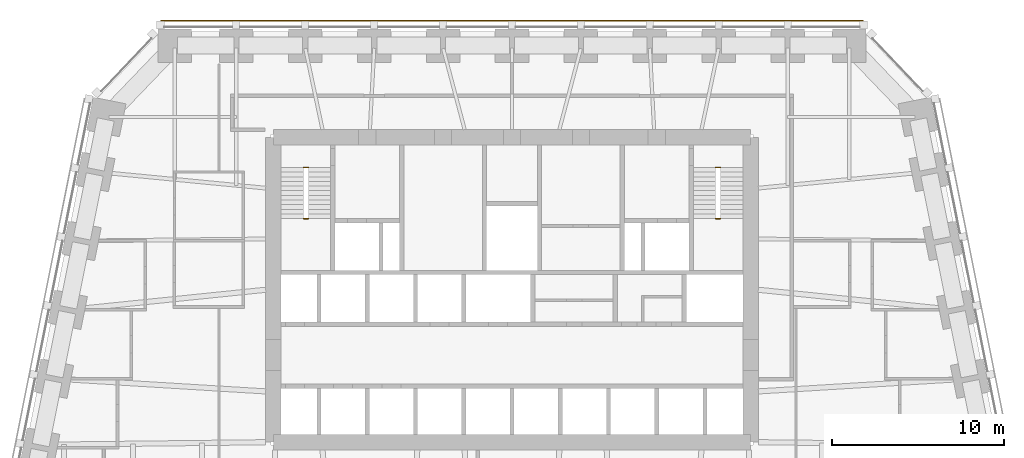
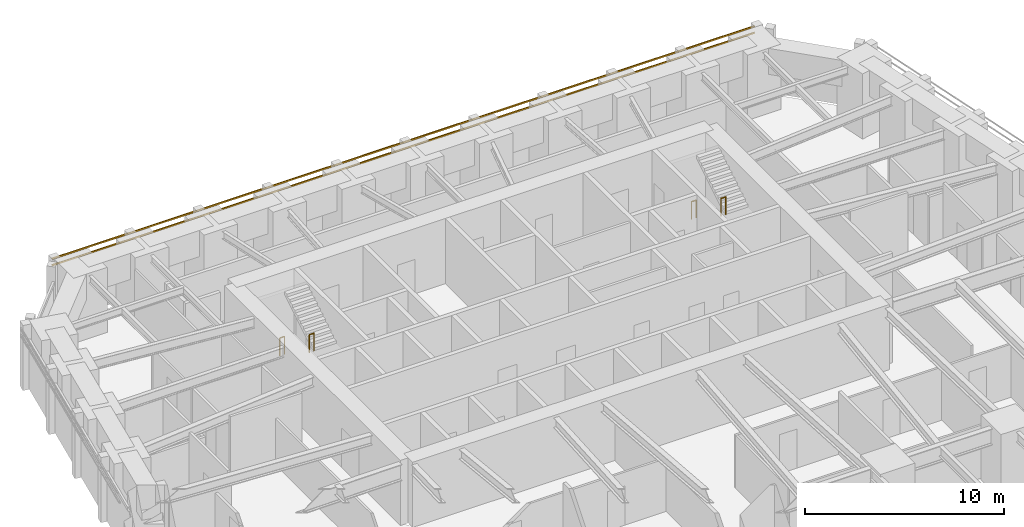
# One storey, part 10 of 10: 4 railings, 2 shading devices.
"""IFC4 building model written with IfcOpenShell, lengths in metres."""

from ifc_helpers import new_model, si_unit, direction, frame, origin, origin_2d, place, context, subcontext, project, spatial, rectangle, circle, extrude, material, material_profile, profile_set, type_object, element, save


model = new_model("IFC4")

# Units and contexts
model_context = context("Model", 3, precision=1e-05, world=origin(), true_north=direction((0.0, 1.0)))
body_context = subcontext(model_context, "Body", "Model", "MODEL_VIEW")
ifc_project = project(units=[si_unit("LENGTHUNIT", "METRE"), si_unit("AREAUNIT", "SQUARE_METRE"), si_unit("VOLUMEUNIT", "CUBIC_METRE"), si_unit("PLANEANGLEUNIT", "RADIAN"), si_unit("MASSUNIT", "GRAM", prefix="KILO")], contexts=[model_context])

# Site, building, storey
site_placement = place(None, origin())
site = spatial("IfcSite", under=ifc_project, at=site_placement, CompositionType="ELEMENT")
building_placement = place(site_placement, origin())
building = spatial("IfcBuilding", under=site, at=building_placement, Name="Isbrekke Arena Tower", CompositionType="ELEMENT")
storey_placement = place(building_placement, frame((0.0, 0.0, 68.0)))
storey = spatial("IfcBuildingStorey", under=building, at=storey_placement, Name="L14", CompositionType="ELEMENT", Elevation=68.0)

# Shading devices
ifc_material_1 = material(Name="Terracotta", Category="masonry")
ifc_material_profile = material_profile(ifc_material_1, rectangle(XDim=0.06005859375, YDim=0.06005859375, at=origin_2d()), Name="BAGUETTE 60X60")
ifc_profile_set = profile_set([ifc_material_profile], Name="Terracotta")
shading_device_type = type_object("IfcShadingDeviceType", Name="BG1 TERRACOTTA BAGUETTE 60 x 60", PredefinedType="USERDEFINED", material=ifc_profile_set)
for number, where, z_axis, x_axis, name in (
    (1, (20.39990234375, 30.6298828125, 3.280029296875), (-1.0, 0.0, 0.0), (0.0, -1.0, 0.0), "BG1 terracotta baguette N1 L14"),
    (2, (20.39990234375, 30.6298828125, 3.679931640625), (-1.0, 0.0, 0.0), (0.0, -1.0, 0.0), "BG1 terracotta baguette N2 L14"),
):
    element("IfcShadingDevice", number, at=place(storey_placement, frame(where, z_axis=z_axis, x_axis=x_axis)), inside=storey, type_object=shading_device_type, Name=name, ObjectType="TERRACOTTA BAGUETTE", PredefinedType="USERDEFINED", context=body_context, shape_type="SweptSolid", body=[
        extrude(rectangle(XDim=0.06005859375, YDim=0.06005859375, at=origin_2d()), origin(), (0.0, 0.0, 1.0), 40.7998046875),
    ])

# Railings
ifc_material_2 = material(Name="Steel stair guard, vertical bars, steel handrail", Category="steel")
railing_type = type_object("IfcRailingType", Name="GR3 STAIR WELL GUARD 1100", PredefinedType="GUARDRAIL", material=ifc_material_2)
for number, where, name in (
    (3, (-12.10009765625, 22.10009765625, 0.0), "GR3 stair well guard ST1 L14"),
    (4, (-12.10009765625, 19.1298828125, 2.0), "GR3 stair well guard ST1 L14"),
    (5, (11.824951171875, 22.10009765625, 0.0), "GR3 stair well guard ST2 L14"),
    (6, (11.824951171875, 19.1298828125, 2.0), "GR3 stair well guard ST2 L14"),
):
    element("IfcRailing", number, at=place(storey_placement, frame(where)), inside=storey, type_object=railing_type, Name=name, PredefinedType="GUARDRAIL", context=body_context, shape_type="SweptSolid", body=[
        extrude(circle(Radius=0.02392578125, at=origin_2d()), frame((0.0, 0.0, 1.076171875), z_axis=(1.0, 0.0, 0.0), x_axis=(0.0, 1.0, 0.0)), (0.0, 0.0, 1.0), 0.275146484375),
        extrude(circle(Radius=0.02099609375, at=origin_2d()), origin(), (0.0, 0.0, 1.0), 1.052001953125),
        extrude(circle(Radius=0.02099609375, at=origin_2d()), frame((0.275146484375, 0.0, 0.0)), (0.0, 0.0, 1.0), 1.052001953125),
    ])

save(model, "model.ifc")
